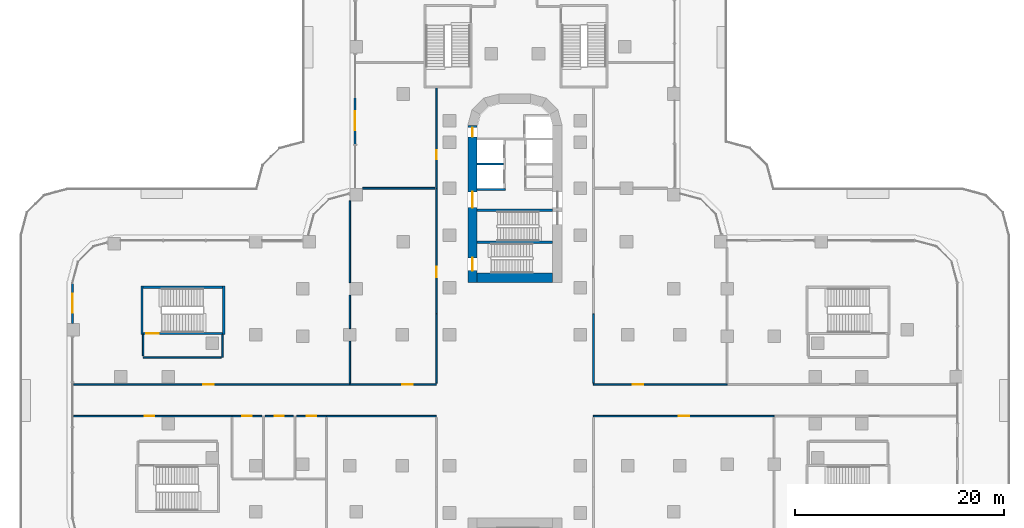
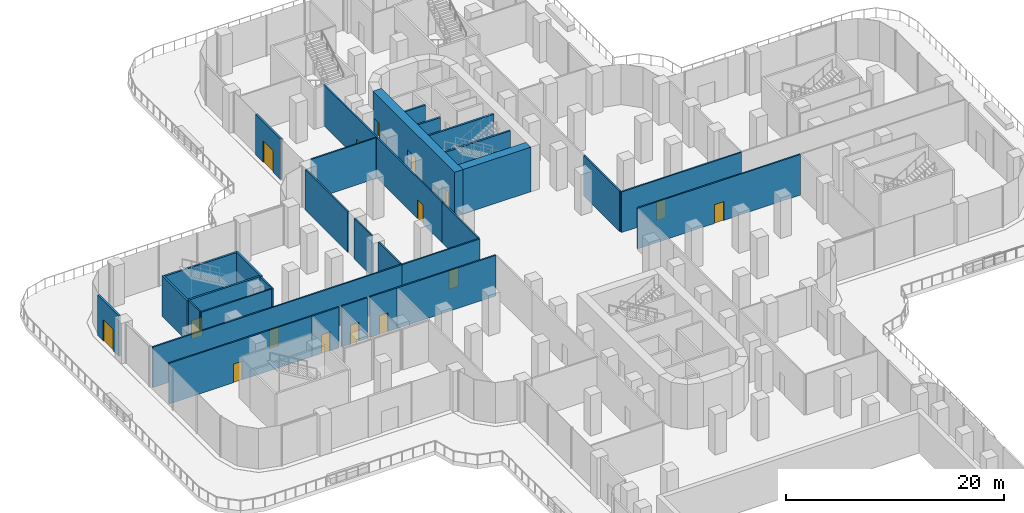
# One storey, part 18 of 27: 32 walls, 16 doors, 16 openings.
"""IFC4 building model written with IfcOpenShell, lengths in metres."""

from ifc_helpers import new_model, si_unit, direction, frame, frame_2d, origin, place, context, subcontext, project, spatial, rectangle, extrude, material, layer, layer_set, type_object, element, fill, save


model = new_model("IFC4")

# Units and contexts
model_context = context("Model", 3, precision=1e-05, world=origin(), true_north=direction((0.0, 1.0)))
body_context = subcontext(model_context, "Body", "Model", "MODEL_VIEW")
ifc_project = project(units=[si_unit("LENGTHUNIT", "METRE"), si_unit("AREAUNIT", "SQUARE_METRE"), si_unit("VOLUMEUNIT", "CUBIC_METRE"), si_unit("PLANEANGLEUNIT", "RADIAN"), si_unit("MASSUNIT", "GRAM", prefix="KILO")], contexts=[model_context])

# Site, building, storey
site_placement = place(None, origin())
site = spatial("IfcSite", under=ifc_project, at=site_placement, CompositionType="ELEMENT")
building_placement = place(site_placement, origin())
building = spatial("IfcBuilding", under=site, at=building_placement, Name="Zarbagh Exchange Tower", CompositionType="ELEMENT")
storey_placement = place(building_placement, frame((0.0, 0.0, 17.0)))
storey = spatial("IfcBuildingStorey", under=building, at=storey_placement, Name="L03", CompositionType="ELEMENT", Elevation=17.0)

# Walls
ifc_material_1 = material(Name="Plasterboard partition")
ifc_layer_1 = layer(ifc_material_1, 0.14990234375)
ifc_layer_set_1 = layer_set([ifc_layer_1], Name="Board partition 150")
wall_type_1 = type_object("IfcWallType", Name="Board partition 150", PredefinedType="PARTITIONING", material=ifc_layer_set_1)
wall_1_placement = place(storey_placement, frame((-27.89990234375, 6.300048828125, 0.0), z_axis=(0.0, 0.0, 1.0), x_axis=(0.0, -1.0, 0.0)))
element("IfcWall", 1, at=wall_1_placement, inside=storey, type_object=wall_type_1, Name="WL-L03-W009", PredefinedType="PARTITIONING", context=body_context, shape_type="SweptSolid", body=[
    extrude(rectangle(XDim=2.199951171875, YDim=0.14990234375, at=frame_2d((1.10009765625, 0.0))), origin(), (0.0, 0.0, 1.0), 4.550048828125),
])
wall_2_placement = place(storey_placement, frame((-28.050048828125, 4.10009765625, 0.0), z_axis=(0.0, 0.0, 1.0), x_axis=(-1.0, 0.0, 0.0)))
element("IfcWall", 2, at=wall_2_placement, inside=storey, type_object=wall_type_1, Name="WL-L03-W010", PredefinedType="PARTITIONING", context=body_context, shape_type="SweptSolid", body=[
    extrude(rectangle(XDim=7.449951171875, YDim=0.14990234375, at=frame_2d((3.72509765625, 0.0))), origin(), (0.0, 0.0, 1.0), 4.550048828125),
])
wall_3_placement = place(storey_placement, frame((-35.5, 4.25, 0.0), z_axis=(0.0, 0.0, 1.0), x_axis=(0.0, 1.0, 0.0)))
element("IfcWall", 3, at=wall_3_placement, inside=storey, type_object=wall_type_1, Name="WL-L03-W011", PredefinedType="PARTITIONING", context=body_context, shape_type="SweptSolid", body=[
    extrude(rectangle(XDim=2.050048828125, YDim=0.14990234375, at=frame_2d((1.02490234375, 0.0))), origin(), (0.0, 0.0, 1.0), 4.550048828125),
])

# Wall, opening, door
wall_4_placement = place(storey_placement, frame((-24.14990234375, -1.5, 0.0), z_axis=(0.0, 0.0, 1.0), x_axis=(-1.0, 0.0, 0.0)))
wall_4 = element("IfcWall", 4, at=wall_4_placement, inside=storey, type_object=wall_type_1, Name="WL-L03-W016", PredefinedType="PARTITIONING", context=body_context, shape_type="SweptSolid", body=[
    extrude(rectangle(XDim=2.85009765625, YDim=0.14990234375, at=frame_2d((1.425048828125, 0.0))), origin(), (0.0, 0.0, 1.0), 4.550048828125),
])
opening_1_placement = place(wall_4_placement, frame((0.97509765625, 0.0, 0.0)))
opening_1 = element("IfcOpeningElement", 5, at=opening_1_placement, cuts=wall_4, Name="Opening D28", PredefinedType="OPENING", context=body_context, shape_type="SweptSolid", body=[
    extrude(rectangle(XDim=0.89990234375, YDim=2.10009765625, at=frame_2d((0.449951171875, 1.050048828125))), frame((0.0, 0.0849609375, 0.0), z_axis=(0.0, -1.0, 0.0), x_axis=(1.0, 0.0, 0.0)), (0.0, 0.0, 1.0), 0.169921875),
])
ifc_material_2 = material(Name="Timber door leaf", Category="wood")
door_type_1 = type_object("IfcDoorType", Name="Door single 900x2100", OperationType="SINGLE_SWING_LEFT", PredefinedType="DOOR", material=ifc_material_2)
door_1_placement = place(opening_1_placement, origin())
door_1 = element("IfcDoor", 6, at=door_1_placement, inside=storey, type_object=door_type_1, Name="D01", OperationType="SINGLE_SWING_LEFT", OverallHeight=2.10009765625, OverallWidth=0.89990234375, PredefinedType="DOOR", context=body_context, shape_type="SweptSolid", body=[
    extrude(rectangle(XDim=0.89990234375, YDim=2.10009765625, at=frame_2d((0.449951171875, 1.050048828125))), frame((0.0, 0.02490234375, 0.0), z_axis=(0.0, -1.0, 0.0), x_axis=(1.0, 0.0, 0.0)), (0.0, 0.0, 1.0), 0.050048828125),
])
fill(opening_1, door_1)

wall_5_placement = place(storey_placement, frame((-21.14990234375, -1.5, 0.0), z_axis=(0.0, 0.0, 1.0), x_axis=(-1.0, 0.0, 0.0)))
wall_5 = element("IfcWall", 7, at=wall_5_placement, inside=storey, type_object=wall_type_1, Name="WL-L03-W020", PredefinedType="PARTITIONING", context=body_context, shape_type="SweptSolid", body=[
    extrude(rectangle(XDim=2.7001953125, YDim=0.14990234375, at=frame_2d((1.35009765625, 0.0))), origin(), (0.0, 0.0, 1.0), 4.550048828125),
])
opening_2_placement = place(wall_5_placement, frame((0.89990234375, 0.0, 0.0)))
opening_2 = element("IfcOpeningElement", 8, at=opening_2_placement, cuts=wall_5, Name="Opening D32", PredefinedType="OPENING", context=body_context, shape_type="SweptSolid", body=[
    extrude(rectangle(XDim=0.89990234375, YDim=2.10009765625, at=frame_2d((0.449951171875, 1.050048828125))), frame((0.0, 0.0849609375, 0.0), z_axis=(0.0, -1.0, 0.0), x_axis=(1.0, 0.0, 0.0)), (0.0, 0.0, 1.0), 0.169921875),
])
door_2_placement = place(opening_2_placement, origin())
door_2 = element("IfcDoor", 9, at=door_2_placement, inside=storey, type_object=door_type_1, Name="D02", OperationType="SINGLE_SWING_LEFT", OverallHeight=2.10009765625, OverallWidth=0.89990234375, PredefinedType="DOOR", context=body_context, shape_type="SweptSolid", body=[
    extrude(rectangle(XDim=0.89990234375, YDim=2.10009765625, at=frame_2d((0.449951171875, 1.050048828125))), frame((0.0, 0.02490234375, 0.0), z_axis=(0.0, -1.0, 0.0), x_axis=(1.0, 0.0, 0.0)), (0.0, 0.0, 1.0), 0.050048828125),
])
fill(opening_2, door_2)

wall_6_placement = place(storey_placement, frame((-18.0, -1.5, 0.0), z_axis=(0.0, 0.0, 1.0), x_axis=(-1.0, 0.0, 0.0)))
wall_6 = element("IfcWall", 10, at=wall_6_placement, inside=storey, type_object=wall_type_1, Name="WL-L03-W022", PredefinedType="PARTITIONING", context=body_context, shape_type="SweptSolid", body=[
    extrude(rectangle(XDim=2.85009765625, YDim=0.14990234375, at=frame_2d((1.425048828125, 0.0))), origin(), (0.0, 0.0, 1.0), 4.550048828125),
])
opening_3_placement = place(wall_6_placement, frame((0.97509765625, 0.0, 0.0)))
opening_3 = element("IfcOpeningElement", 11, at=opening_3_placement, cuts=wall_6, Name="Opening D34", PredefinedType="OPENING", context=body_context, shape_type="SweptSolid", body=[
    extrude(rectangle(XDim=0.89990234375, YDim=2.10009765625, at=frame_2d((0.449951171875, 1.050048828125))), frame((0.0, 0.0849609375, 0.0), z_axis=(0.0, -1.0, 0.0), x_axis=(1.0, 0.0, 0.0)), (0.0, 0.0, 1.0), 0.169921875),
])
door_3_placement = place(opening_3_placement, origin())
door_3 = element("IfcDoor", 12, at=door_3_placement, inside=storey, type_object=door_type_1, Name="D03", OperationType="SINGLE_SWING_LEFT", OverallHeight=2.10009765625, OverallWidth=0.89990234375, PredefinedType="DOOR", context=body_context, shape_type="SweptSolid", body=[
    extrude(rectangle(XDim=0.89990234375, YDim=2.10009765625, at=frame_2d((0.449951171875, 1.050048828125))), frame((0.0, 0.02490234375, 0.0), z_axis=(0.0, -1.0, 0.0), x_axis=(1.0, 0.0, 0.0)), (0.0, 0.0, 1.0), 0.050048828125),
])
fill(opening_3, door_3)

wall_7_placement = place(storey_placement, frame((-7.5, 8.25, 0.0), z_axis=(0.0, 0.0, 1.0), x_axis=(0.0, 1.0, 0.0)))
wall_7 = element("IfcWall", 13, at=wall_7_placement, inside=storey, type_object=wall_type_1, Name="WL-L03-W027", PredefinedType="PARTITIONING", context=body_context, shape_type="SweptSolid", body=[
    extrude(rectangle(XDim=12.0, YDim=0.14990234375, at=frame_2d((6.0, 0.0))), origin(), (0.0, 0.0, 1.0), 4.550048828125),
])
opening_4_placement = place(wall_7_placement, frame((3.5, 0.0, 0.0)))
opening_4 = element("IfcOpeningElement", 14, at=opening_4_placement, cuts=wall_7, Name="Opening D43", PredefinedType="OPENING", context=body_context, shape_type="SweptSolid", body=[
    extrude(rectangle(XDim=1.0, YDim=2.10009765625, at=frame_2d((0.5, 1.050048828125))), frame((0.0, 0.0849609375, 0.0), z_axis=(0.0, -1.0, 0.0), x_axis=(1.0, 0.0, 0.0)), (0.0, 0.0, 1.0), 0.169921875),
])
door_type_2 = type_object("IfcDoorType", Name="Door single 1000x2100", OperationType="SINGLE_SWING_LEFT", PredefinedType="DOOR", material=ifc_material_2)
door_4_placement = place(opening_4_placement, origin())
door_4 = element("IfcDoor", 15, at=door_4_placement, inside=storey, type_object=door_type_2, Name="D06", OperationType="SINGLE_SWING_LEFT", OverallHeight=2.10009765625, OverallWidth=1.0, PredefinedType="DOOR", context=body_context, shape_type="SweptSolid", body=[
    extrude(rectangle(XDim=1.0, YDim=2.10009765625, at=frame_2d((0.5, 1.050048828125))), frame((0.0, 0.02490234375, 0.0), z_axis=(0.0, -1.0, 0.0), x_axis=(1.0, 0.0, 0.0)), (0.0, 0.0, 1.0), 0.050048828125),
])
fill(opening_4, door_4)

wall_8_placement = place(storey_placement, frame((-7.5, 20.25, 0.0), z_axis=(0.0, 0.0, 1.0), x_axis=(0.0, 1.0, 0.0)))
wall_8 = element("IfcWall", 16, at=wall_8_placement, inside=storey, type_object=wall_type_1, Name="WL-L03-W028", PredefinedType="PARTITIONING", context=body_context, shape_type="SweptSolid", body=[
    extrude(rectangle(XDim=9.75, YDim=0.14990234375, at=frame_2d((4.875, 0.0))), origin(), (0.0, 0.0, 1.0), 4.550048828125),
])
opening_5_placement = place(wall_8_placement, frame((2.75, 0.0, 0.0)))
opening_5 = element("IfcOpeningElement", 17, at=opening_5_placement, cuts=wall_8, Name="Opening D07", PredefinedType="OPENING", context=body_context, shape_type="SweptSolid", body=[
    extrude(rectangle(XDim=0.89990234375, YDim=2.10009765625, at=frame_2d((0.449951171875, 1.050048828125))), frame((0.0, 0.0849609375, 0.0), z_axis=(0.0, -1.0, 0.0), x_axis=(1.0, 0.0, 0.0)), (0.0, 0.0, 1.0), 0.169921875),
])
door_5_placement = place(opening_5_placement, origin())
door_5 = element("IfcDoor", 18, at=door_5_placement, inside=storey, type_object=door_type_1, Name="D07", OperationType="SINGLE_SWING_LEFT", OverallHeight=2.10009765625, OverallWidth=0.89990234375, PredefinedType="DOOR", context=body_context, shape_type="SweptSolid", body=[
    extrude(rectangle(XDim=0.89990234375, YDim=2.10009765625, at=frame_2d((0.449951171875, 1.050048828125))), frame((0.0, 0.02490234375, 0.0), z_axis=(0.0, -1.0, 0.0), x_axis=(1.0, 0.0, 0.0)), (0.0, 0.0, 1.0), 0.050048828125),
])
fill(opening_5, door_5)

wall_9_placement = place(storey_placement, frame((7.5, 1.5, 0.0), z_axis=(0.0, 0.0, 1.0), x_axis=(1.0, 0.0, 0.0)))
wall_9 = element("IfcWall", 19, at=wall_9_placement, inside=storey, type_object=wall_type_1, Name="WL-L03-W033", PredefinedType="PARTITIONING", context=body_context, shape_type="SweptSolid", body=[
    extrude(rectangle(XDim=12.75, YDim=0.14990234375, at=frame_2d((6.375, 0.0))), origin(), (0.0, 0.0, 1.0), 4.550048828125),
])
opening_6_placement = place(wall_9_placement, frame((3.75, 0.0, 0.0)))
opening_6 = element("IfcOpeningElement", 20, at=opening_6_placement, cuts=wall_9, Name="Opening D55", PredefinedType="OPENING", context=body_context, shape_type="SweptSolid", body=[
    extrude(rectangle(XDim=1.0, YDim=2.10009765625, at=frame_2d((0.5, 1.050048828125))), frame((0.0, 0.0849609375, 0.0), z_axis=(0.0, -1.0, 0.0), x_axis=(1.0, 0.0, 0.0)), (0.0, 0.0, 1.0), 0.169921875),
])
door_6_placement = place(opening_6_placement, origin())
door_6 = element("IfcDoor", 21, at=door_6_placement, inside=storey, type_object=door_type_2, Name="D11", OperationType="SINGLE_SWING_LEFT", OverallHeight=2.10009765625, OverallWidth=1.0, PredefinedType="DOOR", context=body_context, shape_type="SweptSolid", body=[
    extrude(rectangle(XDim=1.0, YDim=2.10009765625, at=frame_2d((0.5, 1.050048828125))), frame((0.0, 0.02490234375, 0.0), z_axis=(0.0, -1.0, 0.0), x_axis=(1.0, 0.0, 0.0)), (0.0, 0.0, 1.0), 0.050048828125),
])
fill(opening_6, door_6)

wall_10_placement = place(storey_placement, frame((24.75, -1.5, 0.0), z_axis=(0.0, 0.0, 1.0), x_axis=(-1.0, 0.0, 0.0)))
wall_10 = element("IfcWall", 22, at=wall_10_placement, inside=storey, type_object=wall_type_1, Name="WL-L03-W035", PredefinedType="PARTITIONING", context=body_context, shape_type="SweptSolid", body=[
    extrude(rectangle(XDim=17.25, YDim=0.14990234375, at=frame_2d((8.625, 0.0))), origin(), (0.0, 0.0, 1.0), 4.550048828125),
])
opening_7_placement = place(wall_10_placement, frame((8.125, 0.0, 0.0)))
opening_7 = element("IfcOpeningElement", 23, at=opening_7_placement, cuts=wall_10, Name="Opening D57", PredefinedType="OPENING", context=body_context, shape_type="SweptSolid", body=[
    extrude(rectangle(XDim=1.0, YDim=2.10009765625, at=frame_2d((0.5, 1.050048828125))), frame((0.0, 0.0849609375, 0.0), z_axis=(0.0, -1.0, 0.0), x_axis=(1.0, 0.0, 0.0)), (0.0, 0.0, 1.0), 0.169921875),
])
door_7_placement = place(opening_7_placement, origin())
door_7 = element("IfcDoor", 24, at=door_7_placement, inside=storey, type_object=door_type_2, Name="D13", OperationType="SINGLE_SWING_LEFT", OverallHeight=2.10009765625, OverallWidth=1.0, PredefinedType="DOOR", context=body_context, shape_type="SweptSolid", body=[
    extrude(rectangle(XDim=1.0, YDim=2.10009765625, at=frame_2d((0.5, 1.050048828125))), frame((0.0, 0.02490234375, 0.0), z_axis=(0.0, -1.0, 0.0), x_axis=(1.0, 0.0, 0.0)), (0.0, 0.0, 1.0), 0.050048828125),
])
fill(opening_7, door_7)

wall_11_placement = place(storey_placement, frame((-15.75, 1.5, 0.0), z_axis=(0.0, 0.0, 1.0), x_axis=(1.0, 0.0, 0.0)))
wall_11 = element("IfcWall", 25, at=wall_11_placement, inside=storey, type_object=wall_type_1, Name="WL-L03-W037", PredefinedType="PARTITIONING", context=body_context, shape_type="SweptSolid", body=[
    extrude(rectangle(XDim=8.25, YDim=0.14990234375, at=frame_2d((4.125, 0.0))), origin(), (0.0, 0.0, 1.0), 4.550048828125),
])
opening_8_placement = place(wall_11_placement, frame((5.0, 0.0, 0.0)))
opening_8 = element("IfcOpeningElement", 26, at=opening_8_placement, cuts=wall_11, Name="Opening D60", PredefinedType="OPENING", context=body_context, shape_type="SweptSolid", body=[
    extrude(rectangle(XDim=1.0, YDim=2.10009765625, at=frame_2d((0.5, 1.050048828125))), frame((0.0, 0.0849609375, 0.0), z_axis=(0.0, -1.0, 0.0), x_axis=(1.0, 0.0, 0.0)), (0.0, 0.0, 1.0), 0.169921875),
])
door_8_placement = place(opening_8_placement, origin())
door_8 = element("IfcDoor", 27, at=door_8_placement, inside=storey, type_object=door_type_2, Name="D15", OperationType="SINGLE_SWING_LEFT", OverallHeight=2.10009765625, OverallWidth=1.0, PredefinedType="DOOR", context=body_context, shape_type="SweptSolid", body=[
    extrude(rectangle(XDim=1.0, YDim=2.10009765625, at=frame_2d((0.5, 1.050048828125))), frame((0.0, 0.02490234375, 0.0), z_axis=(0.0, -1.0, 0.0), x_axis=(1.0, 0.0, 0.0)), (0.0, 0.0, 1.0), 0.050048828125),
])
fill(opening_8, door_8)

wall_12_placement = place(storey_placement, frame((-42.14990234375, 1.5, 0.0), z_axis=(0.0, 0.0, 1.0), x_axis=(1.0, 0.0, 0.0)))
wall_12 = element("IfcWall", 28, at=wall_12_placement, inside=storey, type_object=wall_type_1, Name="WL-L03-W038", PredefinedType="PARTITIONING", context=body_context, shape_type="SweptSolid", body=[
    extrude(rectangle(XDim=26.39990234375, YDim=0.14990234375, at=frame_2d((13.199951171875, 0.0))), origin(), (0.0, 0.0, 1.0), 4.550048828125),
])
opening_9_placement = place(wall_12_placement, frame((12.39990234375, 0.0, 0.0)))
opening_9 = element("IfcOpeningElement", 29, at=opening_9_placement, cuts=wall_12, Name="Opening D61", PredefinedType="OPENING", context=body_context, shape_type="SweptSolid", body=[
    extrude(rectangle(XDim=1.0, YDim=2.10009765625, at=frame_2d((0.5, 1.050048828125))), frame((0.0, 0.0849609375, 0.0), z_axis=(0.0, -1.0, 0.0), x_axis=(1.0, 0.0, 0.0)), (0.0, 0.0, 1.0), 0.169921875),
])
door_9_placement = place(opening_9_placement, origin())
door_9 = element("IfcDoor", 30, at=door_9_placement, inside=storey, type_object=door_type_2, Name="D16", OperationType="SINGLE_SWING_LEFT", OverallHeight=2.10009765625, OverallWidth=1.0, PredefinedType="DOOR", context=body_context, shape_type="SweptSolid", body=[
    extrude(rectangle(XDim=1.0, YDim=2.10009765625, at=frame_2d((0.5, 1.050048828125))), frame((0.0, 0.02490234375, 0.0), z_axis=(0.0, -1.0, 0.0), x_axis=(1.0, 0.0, 0.0)), (0.0, 0.0, 1.0), 0.050048828125),
])
fill(opening_9, door_9)

# Wall
wall_13_placement = place(storey_placement, frame((-7.5, -1.5, 0.0), z_axis=(0.0, 0.0, 1.0), x_axis=(-1.0, 0.0, 0.0)))
element("IfcWall", 31, at=wall_13_placement, inside=storey, type_object=wall_type_1, Name="WL-L03-W039", PredefinedType="PARTITIONING", context=body_context, shape_type="SweptSolid", body=[
    extrude(rectangle(XDim=10.5, YDim=0.14990234375, at=frame_2d((5.25, 0.0))), origin(), (0.0, 0.0, 1.0), 4.550048828125),
])

# Wall, opening, door
wall_14_placement = place(storey_placement, frame((-27.0, -1.5, 0.0), z_axis=(0.0, 0.0, 1.0), x_axis=(-1.0, 0.0, 0.0)))
wall_14 = element("IfcWall", 32, at=wall_14_placement, inside=storey, type_object=wall_type_1, Name="WL-L03-W040", PredefinedType="PARTITIONING", context=body_context, shape_type="SweptSolid", body=[
    extrude(rectangle(XDim=15.14990234375, YDim=0.14990234375, at=frame_2d((7.574951171875, 0.0))), origin(), (0.0, 0.0, 1.0), 4.550048828125),
])
opening_10_placement = place(wall_14_placement, frame((7.425048828125, 0.0, 0.0)))
opening_10 = element("IfcOpeningElement", 33, at=opening_10_placement, cuts=wall_14, Name="Opening D17", PredefinedType="OPENING", context=body_context, shape_type="SweptSolid", body=[
    extrude(rectangle(XDim=0.89990234375, YDim=2.10009765625, at=frame_2d((0.449951171875, 1.050048828125))), frame((0.0, 0.0849609375, 0.0), z_axis=(0.0, -1.0, 0.0), x_axis=(1.0, 0.0, 0.0)), (0.0, 0.0, 1.0), 0.169921875),
])
door_10_placement = place(opening_10_placement, origin())
door_10 = element("IfcDoor", 34, at=door_10_placement, inside=storey, type_object=door_type_1, Name="D17", OperationType="SINGLE_SWING_LEFT", OverallHeight=2.10009765625, OverallWidth=0.89990234375, PredefinedType="DOOR", context=body_context, shape_type="SweptSolid", body=[
    extrude(rectangle(XDim=0.89990234375, YDim=2.10009765625, at=frame_2d((0.449951171875, 1.050048828125))), frame((0.0, 0.02490234375, 0.0), z_axis=(0.0, -1.0, 0.0), x_axis=(1.0, 0.0, 0.0)), (0.0, 0.0, 1.0), 0.050048828125),
])
fill(opening_10, door_10)

# Walls
wall_15_placement = place(storey_placement, frame((7.5, 1.64990234375, 0.0), z_axis=(0.0, 0.0, 1.0), x_axis=(0.0, 1.0, 0.0)))
element("IfcWall", 35, at=wall_15_placement, inside=storey, type_object=wall_type_1, Name="WL-L03-W048", PredefinedType="PARTITIONING", context=body_context, shape_type="SweptSolid", body=[
    extrude(rectangle(XDim=6.60009765625, YDim=0.14990234375, at=frame_2d((3.300048828125, 0.0))), origin(), (0.0, 0.0, 1.0), 4.550048828125),
])
wall_16_placement = place(storey_placement, frame((-15.75, 1.64990234375, 0.0), z_axis=(0.0, 0.0, 1.0), x_axis=(0.0, 1.0, 0.0)))
element("IfcWall", 36, at=wall_16_placement, inside=storey, type_object=wall_type_1, Name="WL-L03-W050", PredefinedType="PARTITIONING", context=body_context, shape_type="SweptSolid", body=[
    extrude(rectangle(XDim=4.0, YDim=0.14990234375, at=frame_2d((2.0, 0.0))), origin(), (0.0, 0.0, 1.0), 4.550048828125),
])
wall_17_placement = place(storey_placement, frame((-15.75, 6.85009765625, 0.0), z_axis=(0.0, 0.0, 1.0), x_axis=(0.0, 1.0, 0.0)))
element("IfcWall", 37, at=wall_17_placement, inside=storey, type_object=wall_type_1, Name="WL-L03-W051", PredefinedType="PARTITIONING", context=body_context, shape_type="SweptSolid", body=[
    extrude(rectangle(XDim=3.199951171875, YDim=0.14990234375, at=frame_2d((1.60009765625, 0.0))), origin(), (0.0, 0.0, 1.0), 4.550048828125),
])
wall_18_placement = place(storey_placement, frame((-15.75, 11.25, 0.0), z_axis=(0.0, 0.0, 1.0), x_axis=(0.0, 1.0, 0.0)))
element("IfcWall", 38, at=wall_18_placement, inside=storey, type_object=wall_type_1, Name="WL-L03-W052", PredefinedType="PARTITIONING", context=body_context, shape_type="SweptSolid", body=[
    extrude(rectangle(XDim=7.800048828125, YDim=0.14990234375, at=frame_2d((3.89990234375, 0.0))), origin(), (0.0, 0.0, 1.0), 4.550048828125),
])
wall_19_placement = place(storey_placement, frame((-14.550048828125, 20.25, 0.0), z_axis=(0.0, 0.0, 1.0), x_axis=(1.0, 0.0, 0.0)))
element("IfcWall", 39, at=wall_19_placement, inside=storey, type_object=wall_type_1, Name="WL-L03-W053", PredefinedType="PARTITIONING", context=body_context, shape_type="SweptSolid", body=[
    extrude(rectangle(XDim=6.900146484375, YDim=0.14990234375, at=frame_2d((3.4501953125, 0.0))), origin(), (0.0, 0.0, 1.0), 4.550048828125),
])
wall_20_placement = place(storey_placement, frame((-7.5, 8.25, 0.0), z_axis=(0.0, 0.0, 1.0), x_axis=(0.0, -1.0, 0.0)))
element("IfcWall", 40, at=wall_20_placement, inside=storey, type_object=wall_type_1, Name="WL-L03-W054", PredefinedType="PARTITIONING", context=body_context, shape_type="SweptSolid", body=[
    extrude(rectangle(XDim=6.60009765625, YDim=0.14990234375, at=frame_2d((3.300048828125, 0.0))), origin(), (0.0, 0.0, 1.0), 4.550048828125),
])

# Wall, openings, doors
ifc_material_3 = material(Name="Concrete C60/75", Category="concrete")
ifc_layer_2 = layer(ifc_material_3, 0.89990234375)
ifc_layer_set_2 = layer_set([ifc_layer_2], Name="RC core wall 900 C60/75")
wall_type_2 = type_object("IfcWallType", Name="RC core wall 900 C60/75", PredefinedType="SHEAR", material=ifc_layer_set_2)
wall_21_placement = place(storey_placement, frame((-4.050048828125, 11.25, 0.0), z_axis=(0.0, 0.0, 1.0), x_axis=(0.0, 1.0, 0.0)))
wall_21 = element("IfcWall", 41, at=wall_21_placement, inside=storey, type_object=wall_type_2, Name="CW1 core N W", PredefinedType="SHEAR", context=body_context, shape_type="SweptSolid", body=[
    extrude(rectangle(XDim=15.0, YDim=0.89990234375, at=frame_2d((7.5, 0.0))), origin(), (0.0, 0.0, 1.0), 5.0),
])
opening_11_placement = place(wall_21_placement, frame((7.14990234375, 0.0, 0.0)))
opening_11 = element("IfcOpeningElement", 42, at=opening_11_placement, cuts=wall_21, Name="Opening CD1-1500", PredefinedType="OPENING", context=body_context, shape_type="SweptSolid", body=[
    extrude(rectangle(XDim=1.5, YDim=2.300048828125, at=frame_2d((0.75, 1.14990234375))), frame((0.0, 0.4599609375, 0.0), z_axis=(0.0, -1.0, 0.0), x_axis=(1.0, 0.0, 0.0)), (0.0, 0.0, 1.0), 0.919921875),
])
opening_12_placement = place(wall_21_placement, frame((13.89990234375, 0.0, 0.0)))
opening_12 = element("IfcOpeningElement", 43, at=opening_12_placement, cuts=wall_21, Name="Opening CD2-900", PredefinedType="OPENING", context=body_context, shape_type="SweptSolid", body=[
    extrude(rectangle(XDim=0.89990234375, YDim=2.10009765625, at=frame_2d((0.449951171875, 1.050048828125))), frame((0.0, 0.4599609375, 0.0), z_axis=(0.0, -1.0, 0.0), x_axis=(1.0, 0.0, 0.0)), (0.0, 0.0, 1.0), 0.919921875),
])
opening_13_placement = place(wall_21_placement, frame((1.14990234375, 0.0, 0.0)))
opening_13 = element("IfcOpeningElement", 44, at=opening_13_placement, cuts=wall_21, Name="Opening SD1-1200", PredefinedType="OPENING", context=body_context, shape_type="SweptSolid", body=[
    extrude(rectangle(XDim=1.199951171875, YDim=2.10009765625, at=frame_2d((0.60009765625, 1.050048828125))), frame((0.0, 0.4599609375, 0.0), z_axis=(0.0, -1.0, 0.0), x_axis=(1.0, 0.0, 0.0)), (0.0, 0.0, 1.0), 0.919921875),
])
ifc_material_4 = material(Name="Steel", Category="steel")
door_type_3 = type_object("IfcDoorType", Name="Exit stair door 1200 x 2100", OperationType="NOTDEFINED", PredefinedType="DOOR", material=ifc_material_4)
door_11_placement = place(opening_13_placement, origin())
door_11 = element("IfcDoor", 45, at=door_11_placement, inside=storey, type_object=door_type_3, Name="North core stair door ST2", OperationType="SINGLE_SWING_RIGHT", OverallHeight=2.10009765625, OverallWidth=1.199951171875, PredefinedType="DOOR", context=body_context, shape_type="SweptSolid", body=[
    extrude(rectangle(XDim=1.199951171875, YDim=2.10009765625, at=frame_2d((0.60009765625, 1.050048828125))), frame((0.0, 0.02490234375, 0.0), z_axis=(0.0, -1.0, 0.0), x_axis=(1.0, 0.0, 0.0)), (0.0, 0.0, 1.0), 0.050048828125),
])
fill(opening_13, door_11)
door_type_4 = type_object("IfcDoorType", Name="Firefighting lobby door 900 x 2100", OperationType="NOTDEFINED", PredefinedType="DOOR", material=ifc_material_4)
door_12_placement = place(opening_12_placement, origin())
door_12 = element("IfcDoor", 46, at=door_12_placement, inside=storey, type_object=door_type_4, Name="North core firefighting lobby door FF-W", OperationType="SINGLE_SWING_LEFT", OverallHeight=2.10009765625, OverallWidth=0.89990234375, PredefinedType="DOOR", context=body_context, shape_type="SweptSolid", body=[
    extrude(rectangle(XDim=0.89990234375, YDim=2.10009765625, at=frame_2d((0.449951171875, 1.050048828125))), frame((0.0, 0.02490234375, 0.0), z_axis=(0.0, -1.0, 0.0), x_axis=(1.0, 0.0, 0.0)), (0.0, 0.0, 1.0), 0.050048828125),
])
fill(opening_12, door_12)
door_type_5 = type_object("IfcDoorType", Name="Lift lobby double door 1500 x 2300", OperationType="NOTDEFINED", PredefinedType="DOOR", material=ifc_material_4)
door_13_placement = place(opening_11_placement, origin())
door_13 = element("IfcDoor", 47, at=door_13_placement, inside=storey, type_object=door_type_5, Name="North core lift lobby door LOBBY-W", OperationType="DOUBLE_DOOR_SINGLE_SWING", OverallHeight=2.300048828125, OverallWidth=1.5, PredefinedType="DOOR", context=body_context, shape_type="SweptSolid", body=[
    extrude(rectangle(XDim=1.5, YDim=2.300048828125, at=frame_2d((0.75, 1.14990234375))), frame((0.0, 0.02490234375, 0.0), z_axis=(0.0, -1.0, 0.0), x_axis=(1.0, 0.0, 0.0)), (0.0, 0.0, 1.0), 0.050048828125),
])
fill(opening_11, door_13)

# Walls
wall_22_placement = place(storey_placement, frame((-3.60009765625, 11.699951171875, 0.0), z_axis=(0.0, 0.0, 1.0), x_axis=(1.0, 0.0, 0.0)))
element("IfcWall", 48, at=wall_22_placement, inside=storey, type_object=wall_type_2, Name="CW1 core N inner end", PredefinedType="SHEAR", context=body_context, shape_type="SweptSolid", body=[
    extrude(rectangle(XDim=7.2001953125, YDim=0.89990234375, at=frame_2d((3.60009765625, 0.0))), origin(), (0.0, 0.0, 1.0), 5.0),
])
ifc_material_5 = material(Name="Dense blockwork", Category="masonry")
ifc_layer_3 = layer(ifc_material_5, 0.199951171875)
ifc_layer_set_3 = layer_set([ifc_layer_3], Name="Shaft wall 200 mm blockwork")
wall_type_3 = type_object("IfcWallType", Name="Shaft wall 200 mm blockwork", PredefinedType="PARTITIONING", material=ifc_layer_set_3)
wall_23_placement = place(storey_placement, frame((-3.60009765625, 20.14990234375, 0.0), z_axis=(0.0, 0.0, 1.0), x_axis=(1.0, 0.0, 0.0)))
element("IfcWall", 49, at=wall_23_placement, inside=storey, type_object=wall_type_3, Name="North core shaft wall AB-W", PredefinedType="PARTITIONING", context=body_context, shape_type="SweptSolid", body=[
    extrude(rectangle(XDim=2.7001953125, YDim=0.199951171875, at=frame_2d((1.35009765625, 0.0))), origin(), (0.0, 0.0, 1.0), 4.550048828125),
])
wall_24_placement = place(storey_placement, frame((-3.60009765625, 22.550048828125, 0.0), z_axis=(0.0, 0.0, 1.0), x_axis=(1.0, 0.0, 0.0)))
element("IfcWall", 50, at=wall_24_placement, inside=storey, type_object=wall_type_3, Name="North core shaft wall TR-W", PredefinedType="PARTITIONING", context=body_context, shape_type="SweptSolid", body=[
    extrude(rectangle(XDim=2.5, YDim=0.199951171875, at=frame_2d((1.25, 0.0))), origin(), (0.0, 0.0, 1.0), 4.550048828125),
])
ifc_material_6 = material(Name="Concrete C40/50", Category="concrete")
ifc_layer_4 = layer(ifc_material_6, 0.199951171875)
ifc_layer_set_4 = layer_set([ifc_layer_4], Name="Stair enclosure wall 200 mm RC C40/50")
wall_type_4 = type_object("IfcWallType", Name="Stair enclosure wall 200 mm RC C40/50", PredefinedType="SHEAR", material=ifc_layer_set_4)
for number, where, z_axis, x_axis, name in (
    (51, (-3.60009765625, 18.14990234375, 0.0), (0.0, 0.0, 1.0), (1.0, 0.0, 0.0), "North core stair wall BS"),
    (52, (-3.60009765625, 15.10009765625, 0.0), (0.0, 0.0, 1.0), (1.0, 0.0, 0.0), "North core stair wall ST12"),
):
    element("IfcWall", number, at=place(storey_placement, frame(where, z_axis=z_axis, x_axis=x_axis)), inside=storey, type_object=wall_type_4, Name=name, PredefinedType="SHEAR", context=body_context, shape_type="SweptSolid", body=[
        extrude(rectangle(XDim=7.2001953125, YDim=0.199951171875, at=frame_2d((3.60009765625, 0.0))), origin(), (0.0, 0.0, 1.0), 4.550048828125),
    ])
for number, where, z_axis, x_axis, name in (
    (53, (-35.60009765625, 6.300048828125, 0.0), (0.0, 0.0, 1.0), (0.0, 1.0, 0.0), "Exit stair PS5 enclosure wall W"),
    (54, (-27.800048828125, 6.300048828125, 0.0), (0.0, 0.0, 1.0), (0.0, 1.0, 0.0), "Exit stair PS5 enclosure wall E"),
):
    element("IfcWall", number, at=place(storey_placement, frame(where, z_axis=z_axis, x_axis=x_axis)), inside=storey, type_object=wall_type_4, Name=name, PredefinedType="SHEAR", context=body_context, shape_type="SweptSolid", body=[
        extrude(rectangle(XDim=4.599853515625, YDim=0.199951171875, at=frame_2d((2.2998046875, 0.0))), origin(), (0.0, 0.0, 1.0), 4.550048828125),
    ])

# Wall, opening, door
wall_25_placement = place(storey_placement, frame((-35.5, 6.39990234375, 0.0), z_axis=(0.0, 0.0, 1.0), x_axis=(1.0, 0.0, 0.0)))
wall_25 = element("IfcWall", 55, at=wall_25_placement, inside=storey, type_object=wall_type_4, Name="Exit stair PS5 enclosure wall S", PredefinedType="SHEAR", context=body_context, shape_type="SweptSolid", body=[
    extrude(rectangle(XDim=7.60009765625, YDim=0.199951171875, at=frame_2d((3.800048828125, 0.0))), origin(), (0.0, 0.0, 1.0), 4.550048828125),
])
opening_14_placement = place(wall_25_placement, frame((0.300048828125, 0.0, 0.0)))
opening_14 = element("IfcOpeningElement", 56, at=opening_14_placement, cuts=wall_25, Name="Opening SD1-1200", PredefinedType="OPENING", context=body_context, shape_type="SweptSolid", body=[
    extrude(rectangle(XDim=1.199951171875, YDim=2.10009765625, at=frame_2d((0.60009765625, 1.050048828125))), frame((0.0, 0.10986328125, 0.0), z_axis=(0.0, -1.0, 0.0), x_axis=(1.0, 0.0, 0.0)), (0.0, 0.0, 1.0), 0.219970703125),
])
door_14_placement = place(opening_14_placement, origin())
door_14 = element("IfcDoor", 57, at=door_14_placement, inside=storey, type_object=door_type_3, Name="Exit stair PS5 entry door", OperationType="SINGLE_SWING_RIGHT", OverallHeight=2.10009765625, OverallWidth=1.199951171875, PredefinedType="DOOR", context=body_context, shape_type="SweptSolid", body=[
    extrude(rectangle(XDim=1.199951171875, YDim=2.10009765625, at=frame_2d((0.60009765625, 1.050048828125))), frame((0.0, 0.02490234375, 0.0), z_axis=(0.0, -1.0, 0.0), x_axis=(1.0, 0.0, 0.0)), (0.0, 0.0, 1.0), 0.050048828125),
])
fill(opening_14, door_14)

# Wall
wall_26_placement = place(storey_placement, frame((-35.5, 10.800048828125, 0.0), z_axis=(0.0, 0.0, 1.0), x_axis=(1.0, 0.0, 0.0)))
element("IfcWall", 58, at=wall_26_placement, inside=storey, type_object=wall_type_4, Name="Exit stair PS5 enclosure wall N", PredefinedType="SHEAR", context=body_context, shape_type="SweptSolid", body=[
    extrude(rectangle(XDim=7.60009765625, YDim=0.199951171875, at=frame_2d((3.800048828125, 0.0))), origin(), (0.0, 0.0, 1.0), 4.550048828125),
])

# Wall, opening, door
ifc_material_7 = material(Name="Precast concrete C50/60", Category="concrete")
ifc_layer_5 = layer(ifc_material_7, 0.199951171875)
ifc_layer_set_5 = layer_set([ifc_layer_5], Name="Terrace door wall, precast concrete C50/60")
wall_type_5 = type_object("IfcWallType", Name="Terrace door wall, precast concrete C50/60", PredefinedType="SOLIDWALL", material=ifc_layer_set_5)
wall_27_placement = place(storey_placement, frame((-15.25, 28.989990234375, 0.0), z_axis=(0.0, 0.0, 1.0), x_axis=(0.0, -1.0, 0.0)))
wall_27 = element("IfcWall", 59, at=wall_27_placement, inside=storey, type_object=wall_type_5, Name="TW23 door wall", PredefinedType="SOLIDWALL", context=body_context, shape_type="SweptSolid", body=[
    extrude(rectangle(XDim=4.580078125, YDim=0.199951171875, at=frame_2d((2.2900390625, 0.0))), origin(), (0.0, 0.0, 1.0), 4.550048828125),
])
opening_15_placement = place(wall_27_placement, frame((1.389892578125, 0.0, 0.0)))
opening_15 = element("IfcOpeningElement", 60, at=opening_15_placement, cuts=wall_27, Name="Opening TD03", PredefinedType="OPENING", context=body_context, shape_type="SweptSolid", body=[
    extrude(rectangle(XDim=1.800048828125, YDim=2.39990234375, at=frame_2d((0.89990234375, 1.199951171875))), frame((0.0, 0.10986328125, 0.0), z_axis=(0.0, -1.0, 0.0), x_axis=(1.0, 0.0, 0.0)), (0.0, 0.0, 1.0), 0.219970703125),
])
ifc_material_8 = material(Name="Anodised aluminium and glass", Category="aluminium")
door_type_6 = type_object("IfcDoorType", Name="Terrace door, double leaf, aluminium and glass", OperationType="DOUBLE_DOOR_DOUBLE_SWING", PredefinedType="DOOR", material=ifc_material_8)
door_15_placement = place(opening_15_placement, origin())
door_15 = element("IfcDoor", 61, at=door_15_placement, inside=storey, type_object=door_type_6, Name="TD03 terrace door", OperationType="SINGLE_SWING_LEFT", OverallHeight=2.39990234375, OverallWidth=1.800048828125, PredefinedType="DOOR", context=body_context, shape_type="SweptSolid", body=[
    extrude(rectangle(XDim=1.800048828125, YDim=2.39990234375, at=frame_2d((0.89990234375, 1.199951171875))), frame((0.0, 0.02490234375, 0.0), z_axis=(0.0, -1.0, 0.0), x_axis=(1.0, 0.0, 0.0)), (0.0, 0.0, 1.0), 0.050048828125),
])
fill(opening_15, door_15)

wall_28_placement = place(storey_placement, frame((-42.25, 11.18408203125, 0.0), z_axis=(0.0, 0.0, 1.0), x_axis=(0.0, -1.0, 0.0)))
wall_28 = element("IfcWall", 62, at=wall_28_placement, inside=storey, type_object=wall_type_5, Name="TW24 door wall", PredefinedType="SOLIDWALL", context=body_context, shape_type="SweptSolid", body=[
    extrude(rectangle(XDim=3.834228515625, YDim=0.199951171875, at=frame_2d((1.9169921875, 0.0))), origin(), (0.0, 0.0, 1.0), 4.550048828125),
])
opening_16_placement = place(wall_28_placement, frame((1.01708984375, 0.0, 0.0)))
opening_16 = element("IfcOpeningElement", 63, at=opening_16_placement, cuts=wall_28, Name="Opening TD03", PredefinedType="OPENING", context=body_context, shape_type="SweptSolid", body=[
    extrude(rectangle(XDim=1.800048828125, YDim=2.39990234375, at=frame_2d((0.89990234375, 1.199951171875))), frame((0.0, 0.10986328125, 0.0), z_axis=(0.0, -1.0, 0.0), x_axis=(1.0, 0.0, 0.0)), (0.0, 0.0, 1.0), 0.219970703125),
])
door_16_placement = place(opening_16_placement, origin())
door_16 = element("IfcDoor", 64, at=door_16_placement, inside=storey, type_object=door_type_6, Name="TD03 terrace door", OperationType="SINGLE_SWING_LEFT", OverallHeight=2.39990234375, OverallWidth=1.800048828125, PredefinedType="DOOR", context=body_context, shape_type="SweptSolid", body=[
    extrude(rectangle(XDim=1.800048828125, YDim=2.39990234375, at=frame_2d((0.89990234375, 1.199951171875))), frame((0.0, 0.02490234375, 0.0), z_axis=(0.0, -1.0, 0.0), x_axis=(1.0, 0.0, 0.0)), (0.0, 0.0, 1.0), 0.050048828125),
])
fill(opening_16, door_16)

save(model, "model.ifc")
